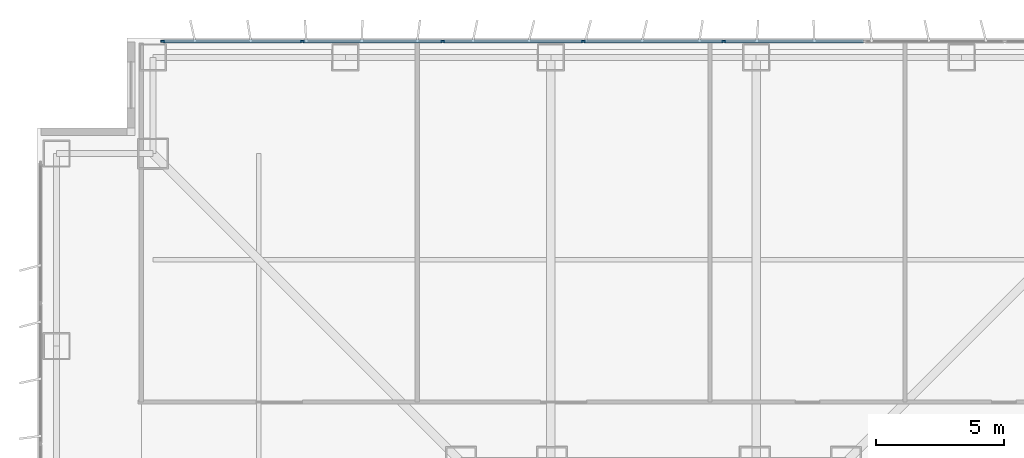
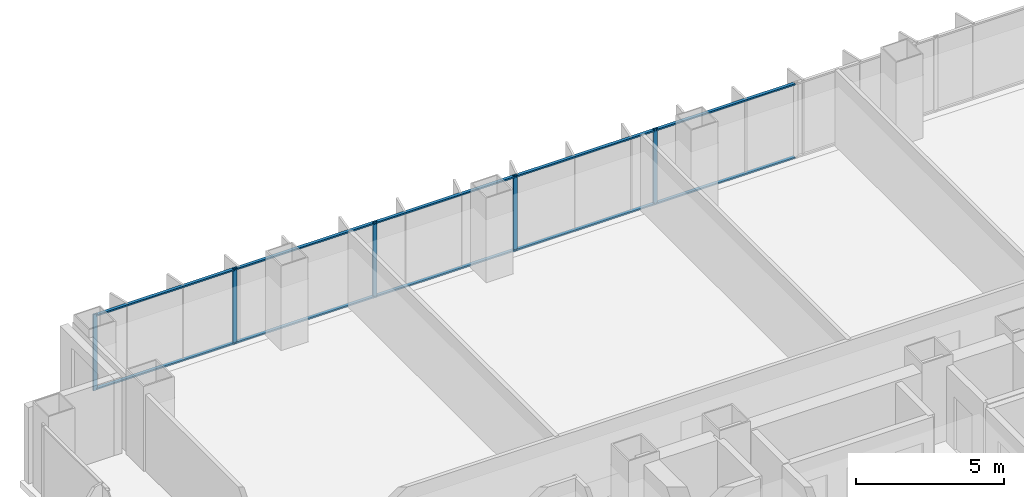
# One storey, part 11 of 19: 15 members, 1 element without a shape of its own.
"""IFC4 building model written with IfcOpenShell, lengths in metres."""

from ifc_helpers import new_model, si_unit, direction, frame, origin, origin_2d, place, context, subcontext, project, spatial, rectangle, extrude, material, layer, layer_set, material_profile, profile_set, type_object, element, aggregate, save


model = new_model("IFC4")

# Units and contexts
model_context = context("Model", 3, precision=1e-05, world=origin(), true_north=direction((0.0, 1.0)))
body_context = subcontext(model_context, "Body", "Model", "MODEL_VIEW")
ifc_project = project(units=[si_unit("LENGTHUNIT", "METRE"), si_unit("AREAUNIT", "SQUARE_METRE"), si_unit("VOLUMEUNIT", "CUBIC_METRE"), si_unit("PLANEANGLEUNIT", "RADIAN"), si_unit("MASSUNIT", "GRAM", prefix="KILO")], contexts=[model_context])

# Site, building, storey
site_placement = place(None, origin())
site = spatial("IfcSite", under=ifc_project, at=site_placement, CompositionType="ELEMENT")
building_placement = place(site_placement, origin())
building = spatial("IfcBuilding", under=site, at=building_placement, Name="Trevonay Congress Spire", CompositionType="ELEMENT")
storey_placement = place(building_placement, frame((0.0, 0.0, 79.5)))
storey = spatial("IfcBuildingStorey", under=building, at=storey_placement, Name="L20", CompositionType="ELEMENT", Elevation=79.5)

# Curtain wall, members
ifc_material = material(Name="Pale Anodised Aluminium EN AW-6063-T6", Category="aluminium")
ifc_layer = layer(ifc_material, 0.179931640625, Name="Pale Anodised Aluminium EN AW-6063-T6")
ifc_layer_set = layer_set([ifc_layer], Name="Pale Anodised Aluminium EN AW-6063-T6")
curtain_wall_type = type_object("IfcCurtainWallType", Name="CW-SYS02-HOTEL-PALE-METAL", PredefinedType="NOTDEFINED", material=ifc_layer_set)
curtain_wall_placement = place(storey_placement, origin())
curtain_wall = element("IfcCurtainWall", 1, at=curtain_wall_placement, inside=storey, type_object=curtain_wall_type, Name="L20 N unitised curtain wall", PredefinedType="NOTDEFINED")
ifc_material_profile_1 = material_profile(ifc_material, rectangle(XDim=0.06005859375, YDim=0.159912109375, at=origin_2d()), Name="CW-MULLION-160-ALUMINIUM")
ifc_profile_set_1 = profile_set([ifc_material_profile_1], Name="Pale Anodised Aluminium EN AW-6063-T6")
member_type_1 = type_object("IfcMemberType", Name="CW-MULLION-160-ALUMINIUM", PredefinedType="MULLION", material=ifc_profile_set_1)
member_1_placement = place(storey_placement, frame((-19.1201171875, 23.8798828125, 0.0), z_axis=(0.0, 0.0, 1.0), x_axis=(0.0, 1.0, 0.0)))
member_1 = element("IfcMember", 2, at=member_1_placement, type_object=member_type_1, Name="CW02 mullion 1", PredefinedType="MULLION", context=body_context, shape_type="SweptSolid", body=[
    extrude(rectangle(XDim=0.06005859375, YDim=0.159912109375, at=origin_2d()), origin(), (0.0, 0.0, 1.0), 3.14990234375),
])
member_2_placement = place(storey_placement, frame((-13.678466796875, 23.8798828125, 0.0), z_axis=(0.0, 0.0, 1.0), x_axis=(0.0, 1.0, 0.0)))
member_2 = element("IfcMember", 3, at=member_2_placement, type_object=member_type_1, Name="CW02 mullion 2", PredefinedType="MULLION", context=body_context, shape_type="SweptSolid", body=[
    extrude(rectangle(XDim=0.06005859375, YDim=0.159912109375, at=origin_2d()), origin(), (0.0, 0.0, 1.0), 3.14990234375),
])
member_3_placement = place(storey_placement, frame((-8.20703125, 23.8798828125, 0.0), z_axis=(0.0, 0.0, 1.0), x_axis=(0.0, 1.0, 0.0)))
member_3 = element("IfcMember", 4, at=member_3_placement, type_object=member_type_1, Name="CW02 mullion 3", PredefinedType="MULLION", context=body_context, shape_type="SweptSolid", body=[
    extrude(rectangle(XDim=0.06005859375, YDim=0.159912109375, at=origin_2d()), origin(), (0.0, 0.0, 1.0), 3.14990234375),
])
member_4_placement = place(storey_placement, frame((-2.735595703125, 23.8798828125, 0.0), z_axis=(0.0, 0.0, 1.0), x_axis=(0.0, 1.0, 0.0)))
member_4 = element("IfcMember", 5, at=member_4_placement, type_object=member_type_1, Name="CW02 mullion 4", PredefinedType="MULLION", context=body_context, shape_type="SweptSolid", body=[
    extrude(rectangle(XDim=0.06005859375, YDim=0.159912109375, at=origin_2d()), origin(), (0.0, 0.0, 1.0), 3.14990234375),
])
member_5_placement = place(storey_placement, frame((2.735595703125, 23.8798828125, 0.0), z_axis=(0.0, 0.0, 1.0), x_axis=(0.0, 1.0, 0.0)))
member_5 = element("IfcMember", 6, at=member_5_placement, type_object=member_type_1, Name="CW02 mullion 5", PredefinedType="MULLION", context=body_context, shape_type="SweptSolid", body=[
    extrude(rectangle(XDim=0.06005859375, YDim=0.159912109375, at=origin_2d()), origin(), (0.0, 0.0, 1.0), 3.14990234375),
])
ifc_material_profile_2 = material_profile(ifc_material, rectangle(XDim=0.1201171875, YDim=0.06005859375, at=origin_2d()), Name="CW-TRANSOM-120-ALUMINIUM")
ifc_profile_set_2 = profile_set([ifc_material_profile_2], Name="Pale Anodised Aluminium EN AW-6063-T6")
member_type_2 = type_object("IfcMemberType", Name="CW-TRANSOM-120-ALUMINIUM", PredefinedType="USERDEFINED", material=ifc_profile_set_2)
member_6_placement = place(storey_placement, frame((-19.090087890625, 23.8798828125, 0.06005859375), z_axis=(1.0, 0.0, 0.0), x_axis=(0.0, 1.0, 0.0)))
member_6 = element("IfcMember", 7, at=member_6_placement, type_object=member_type_2, Name="CW02 transom 1.1", ObjectType="TRANSOM", PredefinedType="USERDEFINED", context=body_context, shape_type="SweptSolid", body=[
    extrude(rectangle(XDim=0.1201171875, YDim=0.06005859375, at=origin_2d()), origin(), (0.0, 0.0, 1.0), 5.381591796875),
])
member_7_placement = place(storey_placement, frame((-19.090087890625, 23.8798828125, 3.090087890625), z_axis=(1.0, 0.0, 0.0), x_axis=(0.0, 1.0, 0.0)))
member_7 = element("IfcMember", 8, at=member_7_placement, type_object=member_type_2, Name="CW02 transom 1.2", ObjectType="TRANSOM", PredefinedType="USERDEFINED", context=body_context, shape_type="SweptSolid", body=[
    extrude(rectangle(XDim=0.1201171875, YDim=0.06005859375, at=origin_2d()), origin(), (0.0, 0.0, 1.0), 5.381591796875),
])
member_8_placement = place(storey_placement, frame((-13.648681640625, 23.8798828125, 0.06005859375), z_axis=(1.0, 0.0, 0.0), x_axis=(0.0, 1.0, 0.0)))
member_8 = element("IfcMember", 9, at=member_8_placement, type_object=member_type_2, Name="CW02 transom 2.1", ObjectType="TRANSOM", PredefinedType="USERDEFINED", context=body_context, shape_type="SweptSolid", body=[
    extrude(rectangle(XDim=0.1201171875, YDim=0.06005859375, at=origin_2d()), origin(), (0.0, 0.0, 1.0), 5.41162109375),
])
member_9_placement = place(storey_placement, frame((-13.648681640625, 23.8798828125, 3.090087890625), z_axis=(1.0, 0.0, 0.0), x_axis=(0.0, 1.0, 0.0)))
member_9 = element("IfcMember", 10, at=member_9_placement, type_object=member_type_2, Name="CW02 transom 2.2", ObjectType="TRANSOM", PredefinedType="USERDEFINED", context=body_context, shape_type="SweptSolid", body=[
    extrude(rectangle(XDim=0.1201171875, YDim=0.06005859375, at=origin_2d()), origin(), (0.0, 0.0, 1.0), 5.41162109375),
])
member_10_placement = place(storey_placement, frame((-8.17724609375, 23.8798828125, 0.06005859375), z_axis=(1.0, 0.0, 0.0), x_axis=(0.0, 1.0, 0.0)))
member_10 = element("IfcMember", 11, at=member_10_placement, type_object=member_type_2, Name="CW02 transom 3.1", ObjectType="TRANSOM", PredefinedType="USERDEFINED", context=body_context, shape_type="SweptSolid", body=[
    extrude(rectangle(XDim=0.1201171875, YDim=0.06005859375, at=origin_2d()), origin(), (0.0, 0.0, 1.0), 5.41162109375),
])
member_11_placement = place(storey_placement, frame((-8.17724609375, 23.8798828125, 3.090087890625), z_axis=(1.0, 0.0, 0.0), x_axis=(0.0, 1.0, 0.0)))
member_11 = element("IfcMember", 12, at=member_11_placement, type_object=member_type_2, Name="CW02 transom 3.2", ObjectType="TRANSOM", PredefinedType="USERDEFINED", context=body_context, shape_type="SweptSolid", body=[
    extrude(rectangle(XDim=0.1201171875, YDim=0.06005859375, at=origin_2d()), origin(), (0.0, 0.0, 1.0), 5.41162109375),
])
member_12_placement = place(storey_placement, frame((-2.705810546875, 23.8798828125, 0.06005859375), z_axis=(1.0, 0.0, 0.0), x_axis=(0.0, 1.0, 0.0)))
member_12 = element("IfcMember", 13, at=member_12_placement, type_object=member_type_2, Name="CW02 transom 4.1", ObjectType="TRANSOM", PredefinedType="USERDEFINED", context=body_context, shape_type="SweptSolid", body=[
    extrude(rectangle(XDim=0.1201171875, YDim=0.06005859375, at=origin_2d()), origin(), (0.0, 0.0, 1.0), 5.41162109375),
])
member_13_placement = place(storey_placement, frame((-2.705810546875, 23.8798828125, 3.090087890625), z_axis=(1.0, 0.0, 0.0), x_axis=(0.0, 1.0, 0.0)))
member_13 = element("IfcMember", 14, at=member_13_placement, type_object=member_type_2, Name="CW02 transom 4.2", ObjectType="TRANSOM", PredefinedType="USERDEFINED", context=body_context, shape_type="SweptSolid", body=[
    extrude(rectangle(XDim=0.1201171875, YDim=0.06005859375, at=origin_2d()), origin(), (0.0, 0.0, 1.0), 5.41162109375),
])
member_14_placement = place(storey_placement, frame((2.765625, 23.8798828125, 0.06005859375), z_axis=(1.0, 0.0, 0.0), x_axis=(0.0, 1.0, 0.0)))
member_14 = element("IfcMember", 15, at=member_14_placement, type_object=member_type_2, Name="CW02 transom 5.1", ObjectType="TRANSOM", PredefinedType="USERDEFINED", context=body_context, shape_type="SweptSolid", body=[
    extrude(rectangle(XDim=0.1201171875, YDim=0.06005859375, at=origin_2d()), origin(), (0.0, 0.0, 1.0), 5.41162109375),
])
member_15_placement = place(storey_placement, frame((2.765625, 23.8798828125, 3.090087890625), z_axis=(1.0, 0.0, 0.0), x_axis=(0.0, 1.0, 0.0)))
member_15 = element("IfcMember", 16, at=member_15_placement, type_object=member_type_2, Name="CW02 transom 5.2", ObjectType="TRANSOM", PredefinedType="USERDEFINED", context=body_context, shape_type="SweptSolid", body=[
    extrude(rectangle(XDim=0.1201171875, YDim=0.06005859375, at=origin_2d()), origin(), (0.0, 0.0, 1.0), 5.41162109375),
])
aggregate(curtain_wall, [member_1, member_2, member_3, member_4, member_5, member_6, member_7, member_8, member_9, member_10, member_11, member_12, member_13, member_14, member_15])

save(model, "model.ifc")
